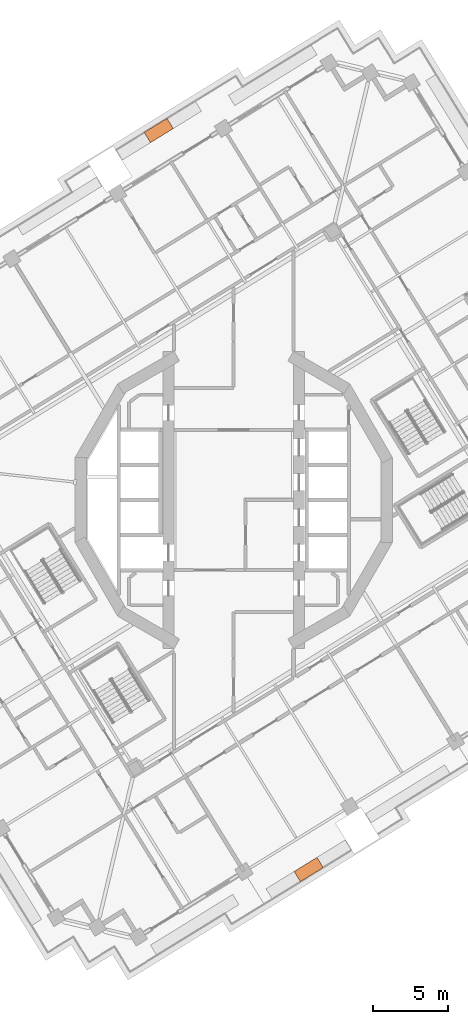
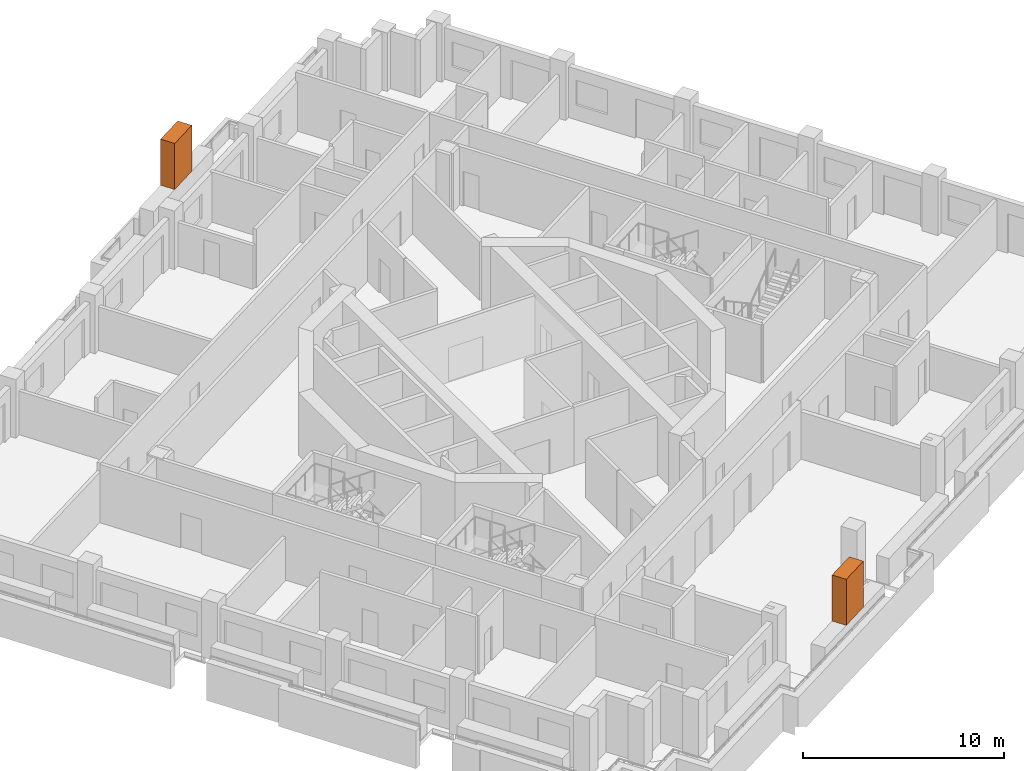
# One storey, part 21 of 21: 2 proxies.
"""IFC4 building model written with IfcOpenShell, lengths in metres."""

from ifc_helpers import new_model, si_unit, direction, frame, origin, origin_2d, place, context, subcontext, project, spatial, rectangle, extrude, element, save


model = new_model("IFC4")

# Units and contexts
model_context = context("Model", 3, precision=1e-05, world=origin(), true_north=direction((0.0, 1.0)))
body_context = subcontext(model_context, "Body", "Model", "MODEL_VIEW")
ifc_project = project(units=[si_unit("LENGTHUNIT", "METRE"), si_unit("AREAUNIT", "SQUARE_METRE"), si_unit("VOLUMEUNIT", "CUBIC_METRE"), si_unit("PLANEANGLEUNIT", "RADIAN"), si_unit("MASSUNIT", "GRAM", prefix="KILO")], contexts=[model_context])

# Site, building, storey
site_placement = place(None, origin())
site = spatial("IfcSite", under=ifc_project, at=site_placement, CompositionType="ELEMENT")
building_placement = place(site_placement, origin())
building = spatial("IfcBuilding", under=site, at=building_placement, Name="Cantera Rosa Tower", CompositionType="ELEMENT")
storey_placement = place(building_placement, frame((0.0, 0.0, 170.39990234375)))
storey = spatial("IfcBuildingStorey", under=building, at=storey_placement, Name="L37", CompositionType="ELEMENT", Elevation=170.39990234375)

# Proxies
for number, where, z_axis, x_axis, name in (
    (1, (-5.021240234375, 24.750732421875, 1.60009765625), (0.0, 0.0, 1.0), (-0.851116672434, -0.52497658034, 0.0), "TREE L37-07"),
    (2, (5.021240234375, -24.750732421875, 1.60009765625), (0.0, 0.0, 1.0), (0.851116672434, 0.52497658034, 0.0), "TREE L37-17"),
):
    element("IfcBuildingElementProxy", number, at=place(storey_placement, frame(where, z_axis=z_axis, x_axis=x_axis)), inside=storey, Name=name, ObjectType="TREE", PredefinedType="USERDEFINED", context=body_context, shape_type="SweptSolid", body=[
        extrude(rectangle(XDim=1.800048828125, YDim=0.800048828125, at=origin_2d()), origin(), (0.0, 0.0, 1.0), 2.800048828125),
    ])

save(model, "model.ifc")
